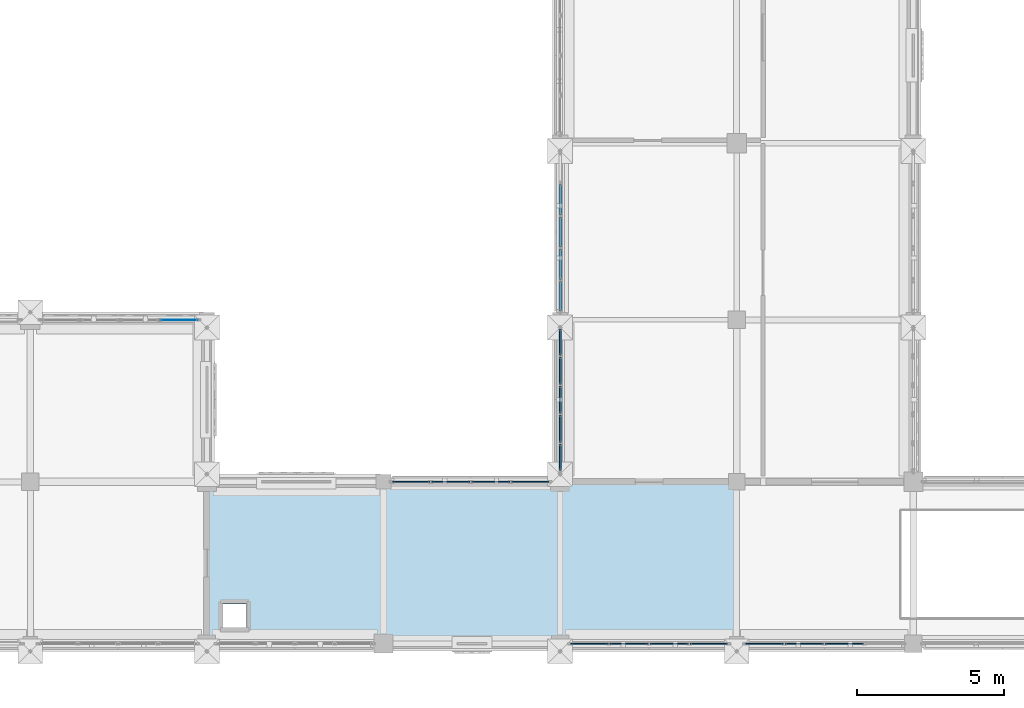
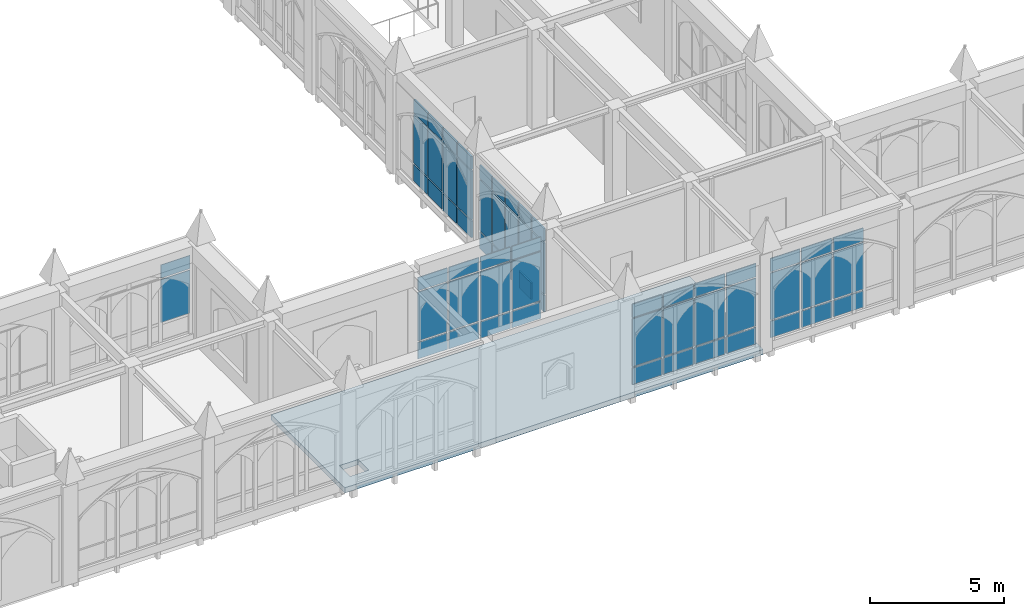
# One storey, part 86 of 143: 62 plates, 1 slab, 6 elements without a shape of their own.
"""IFC4 building model written with IfcOpenShell, lengths in metres."""

import ifcopenshell
import ifcopenshell.guid

model = None  # the IFC model being written
_history = None  # IfcOwnerHistory: only IFC2X3 demands one
_inside = {}  # id of a spatial element -> (the spatial element, [elements in it])
_under = {}  # id of a project, library or spatial element -> (it, [spatial elements below it])
_declared = {}  # id of a project -> (the project, [libraries it declares])
_typed = {}  # id of a type object -> (the type object, [elements of that type])
_made_of = {}  # id of a material, layer set ... -> (it, [elements and type objects made of it])


def new_model(schema):
    """Start an empty IFC model of exactly this schema.

    Asked for "IFC4X3", IfcOpenShell would pick the latest addendum, in which some entities
    have other attributes; the version numbers below select the first issue.
    IFC2X3 requires an IfcOwnerHistory on every rooted entity: one is made here for all.
    """
    global model, _history
    if schema == "IFC4X3":
        model = ifcopenshell.file(schema_version=(4, 3, 0, 0))
    else:
        model = ifcopenshell.file(schema=schema)
    _inside.clear()
    _under.clear()
    _declared.clear()
    _typed.clear()
    _made_of.clear()
    _history = None
    if model.schema == "IFC2X3":
        org = make("IfcOrganization", Name="unknown")
        user = make(
            "IfcPersonAndOrganization",
            ThePerson=make("IfcPerson", FamilyName="unknown"),
            TheOrganization=org,
        )
        app = make(
            "IfcApplication",
            ApplicationDeveloper=org,
            Version="unknown",
            ApplicationFullName="unknown",
            ApplicationIdentifier="unknown",
        )
        _history = make(
            "IfcOwnerHistory",
            OwningUser=user,
            OwningApplication=app,
            ChangeAction="ADDED",
            CreationDate=0,
        )
    return model


def make(cls, **values):
    """One entity of the class cls with the attributes given. An attribute that is None is left unset."""
    return model.create_entity(
        cls, **{name: value for name, value in values.items() if value is not None}
    )


def rooted(cls, **values):
    """An entity with a GlobalId (a new one), such as an element, a storey or a relation."""
    return make(cls, GlobalId=ifcopenshell.guid.new(), OwnerHistory=_history, **values)


def si_unit(unit_type, name, prefix=None):
    """IfcSIUnit, for example si_unit("LENGTHUNIT", "METRE", prefix="MILLI")."""
    return make("IfcSIUnit", UnitType=unit_type, Prefix=prefix, Name=name)


def assignment(units):
    """IfcUnitAssignment: the units of a project."""
    return None if units is None else make("IfcUnitAssignment", Units=units)


def point(xyz):
    """IfcCartesianPoint."""
    return None if xyz is None else make("IfcCartesianPoint", Coordinates=xyz)


def direction(xyz):
    """IfcDirection."""
    return None if xyz is None else make("IfcDirection", DirectionRatios=xyz)


def frame(location, z_axis=None, x_axis=None):
    """IfcAxis2Placement3D, a coordinate frame: its origin and axes. An axis left out is left unset."""
    return make(
        "IfcAxis2Placement3D",
        Location=point(location),
        Axis=direction(z_axis),
        RefDirection=direction(x_axis),
    )


def frame_2d(location, x_axis=None):
    """IfcAxis2Placement2D, a coordinate frame in the plane: its origin and x axis."""
    return make(
        "IfcAxis2Placement2D", Location=point(location), RefDirection=direction(x_axis)
    )


def origin():
    """The frame at (0, 0, 0) with its axes left unset."""
    return frame((0.0, 0.0, 0.0))


def origin_2d():
    """The frame at (0, 0) in the plane with its x axis left unset."""
    return frame_2d((0.0, 0.0))


def place(relative_to, where):
    """IfcLocalPlacement: puts the frame where relative to a parent placement (None: the world)."""
    return make(
        "IfcLocalPlacement", PlacementRelTo=relative_to, RelativePlacement=where
    )


def context(
    kind, dimensions, precision=None, world=None, true_north=None, identifier=None
):
    """IfcGeometricRepresentationContext, for example the 3D "Model" context."""
    return make(
        "IfcGeometricRepresentationContext",
        ContextIdentifier=identifier,
        ContextType=kind,
        CoordinateSpaceDimension=dimensions,
        Precision=precision,
        WorldCoordinateSystem=world,
        TrueNorth=true_north,
    )


def subcontext(parent, identifier, kind, view, scale=None):
    """IfcGeometricRepresentationSubContext, for example "Body" below "Model"."""
    return make(
        "IfcGeometricRepresentationSubContext",
        ContextIdentifier=identifier,
        ContextType=kind,
        ParentContext=parent,
        TargetScale=scale,
        TargetView=view,
    )


def project(units=None, contexts=None):
    """IfcProject with its units and contexts."""
    return rooted(
        "IfcProject",
        Name="project",
        RepresentationContexts=contexts,
        UnitsInContext=assignment(units),
    )


def spatial(cls, under=None, at=None, **own):
    """A site, building, storey or space (cls), placed at a placement, below another one or the project."""
    s = rooted(cls, ObjectPlacement=at, **own)
    if under is not None:
        _under.setdefault(under.id(), (under, []))[1].append(s)
    return s


def polyline(points):
    """IfcPolyline through the points."""
    return make("IfcPolyline", Points=[point(p) for p in points])


def profile(cls, at=None, kind="AREA", **sizes):
    """A parametric profile (cls). Its sizes go by their IFC names, for example OverallWidth=200.0."""
    return make(cls, ProfileType=kind, Position=at, **sizes)


def rectangle(**sizes):
    """IfcRectangleProfileDef."""
    return profile("IfcRectangleProfileDef", **sizes)


def outline(outer, holes=None, kind="AREA"):
    """IfcArbitraryClosedProfileDef: a profile drawn as a closed curve; with holes, ...WithVoids."""
    if holes is None:
        return make("IfcArbitraryClosedProfileDef", ProfileType=kind, OuterCurve=outer)
    return make(
        "IfcArbitraryProfileDefWithVoids",
        ProfileType=kind,
        OuterCurve=outer,
        InnerCurves=holes,
    )


def extrude(swept, where, along, depth):
    """IfcExtrudedAreaSolid: the profile swept, set in the frame where, extruded along a direction by depth."""
    return make(
        "IfcExtrudedAreaSolid",
        SweptArea=swept,
        Position=where,
        ExtrudedDirection=direction(along),
        Depth=depth,
    )


def shape(context_of_items, identifier, shape_type, items):
    """IfcShapeRepresentation: the items that make up one representation, for example the "Body"."""
    return make(
        "IfcShapeRepresentation",
        ContextOfItems=context_of_items,
        RepresentationIdentifier=identifier,
        RepresentationType=shape_type,
        Items=items,
    )


def material(Name=None, Category=None):
    """IfcMaterial."""
    return make("IfcMaterial", Name=Name, Category=Category)


def layer(
    of_material, thickness, ventilated=None, Name=None, Category=None, Priority=None
):
    """IfcMaterialLayer: one layer of a wall or slab, of a material (None: an air gap)."""
    return make(
        "IfcMaterialLayer",
        Material=of_material,
        LayerThickness=thickness,
        IsVentilated=ventilated,
        Name=Name,
        Category=Category,
        Priority=Priority,
    )


def layer_set(layers, Name=None):
    """IfcMaterialLayerSet."""
    return make("IfcMaterialLayerSet", MaterialLayers=layers, LayerSetName=Name)


def made_of(thing, what):
    """Note that an element or type object is made of a material, layer set ...; save() writes the relation."""
    if what is not None:
        _made_of.setdefault(what.id(), (what, []))[1].append(thing)
    return thing


def type_object(cls, material=None, **own):
    """A type object (cls), such as IfcWallType, which elements share."""
    return made_of(rooted(cls, **own), material)


def element(
    cls,
    number,
    at=None,
    inside=None,
    cuts=None,
    type_object=None,
    material=None,
    context=None,
    identifier="Body",
    shape_type=None,
    held_by="IfcProductDefinitionShape",
    body=None,
    shapes=None,
    **own,
):
    """One element of the class cls, such as IfcWall. Its Tag is "e" and its number.

    at: its placement. inside: the storey or other place that contains it. cuts: it is an
    opening in that element (IfcRelVoidsElement). A single representation is given by context,
    identifier, shape_type and body (its items); several are given by shapes. held_by: the class
    of the entity that holds the representations. save() writes the other relations.
    """
    e = rooted(cls, Tag="e%d" % number, ObjectPlacement=at, **own)
    if body is not None:
        shapes = [shape(context, identifier, shape_type, body)]
    if shapes is not None:
        e.Representation = make(held_by, Representations=shapes)
    if inside is not None:
        _inside.setdefault(inside.id(), (inside, []))[1].append(e)
    if cuts is not None:
        rooted(
            "IfcRelVoidsElement", RelatingBuildingElement=cuts, RelatedOpeningElement=e
        )
    if type_object is not None:
        _typed.setdefault(type_object.id(), (type_object, []))[1].append(e)
    return made_of(e, material)


def aggregate(whole, parts):
    """IfcRelAggregates: a whole, such as a stair, and the parts it consists of."""
    return rooted("IfcRelAggregates", RelatingObject=whole, RelatedObjects=parts)


def save(model, path):
    """Write the relations noted so far, then the file.

    IfcRelAggregates (storeys below a building ...), IfcRelContainedInSpatialStructure (elements
    in a storey), IfcRelDefinesByType, IfcRelAssociatesMaterial and IfcRelDeclares: one each for
    every whole, place, type object, material and project.
    """
    for whole, parts in _under.values():
        aggregate(whole, parts)
    for where, things in _inside.values():
        rooted(
            "IfcRelContainedInSpatialStructure",
            RelatedElements=things,
            RelatingStructure=where,
        )
    for kind, things in _typed.values():
        rooted("IfcRelDefinesByType", RelatedObjects=things, RelatingType=kind)
    for what, things in _made_of.values():
        rooted("IfcRelAssociatesMaterial", RelatedObjects=things, RelatingMaterial=what)
    for by, libraries in _declared.values():
        rooted("IfcRelDeclares", RelatingContext=by, RelatedDefinitions=libraries)
    model.write(path)


model = new_model("IFC4")

# Units and contexts
model_context = context("Model", 3, precision=1e-05, world=origin(), true_north=direction((0.0, 1.0)))
body_context = subcontext(model_context, "Body", "Model", "MODEL_VIEW")
ifc_project = project(units=[si_unit("LENGTHUNIT", "METRE"), si_unit("AREAUNIT", "SQUARE_METRE"), si_unit("VOLUMEUNIT", "CUBIC_METRE"), si_unit("PLANEANGLEUNIT", "RADIAN"), si_unit("MASSUNIT", "GRAM", prefix="KILO")], contexts=[model_context])

# Site, building, storey
site_placement = place(None, origin())
site = spatial("IfcSite", under=ifc_project, at=site_placement, CompositionType="ELEMENT")
building_placement = place(site_placement, origin())
building = spatial("IfcBuilding", under=site, at=building_placement, Name="Cumevento Cable Car Station", CompositionType="ELEMENT")
storey_placement = place(building_placement, frame((0.0, 0.0, 9.0)))
storey = spatial("IfcBuildingStorey", under=building, at=storey_placement, Name="L03", CompositionType="ELEMENT", Elevation=9.0)

# Slab
ifc_material_1 = material(Name="Concrete C40/50", Category="concrete")
ifc_layer_1 = layer(ifc_material_1, 0.236083984375)
ifc_layer_set_1 = layer_set([ifc_layer_1], Name="Concrete C40/50")
slab_type = type_object("IfcSlabType", Name="Concrete Deck FS-236 236", PredefinedType="FLOOR", material=ifc_layer_set_1)
slab_placement = place(storey_placement, frame((0.0, 0.0, -0.236083984375)))
element("IfcSlab", 1, at=slab_placement, inside=storey, type_object=slab_type, Name="Floor Slab FS-236 L03 B_V1b.1", PredefinedType="FLOOR", context=body_context, shape_type="SweptSolid", body=[
    extrude(outline(polyline([(46.0, 4.0), (64.0, 4.0), (64.0, 9.5), (46.0, 9.5), (46.0, 4.0)]), holes=[polyline([(46.550048828125, 4.550048828125), (47.35009765625, 4.550048828125), (47.35009765625, 5.35009765625), (46.550048828125, 5.35009765625), (46.550048828125, 4.550048828125)])]), origin(), (0.0, 0.0, 1.0), 0.236083984375),
])

# Curtain wall, plates
ifc_material_2 = material(Name="Anodised Bronze Aluminium AW-6063-T6", Category="aluminium")
ifc_layer_2 = layer(ifc_material_2, 0.201904296875)
ifc_layer_set_2 = layer_set([ifc_layer_2], Name="Anodised Bronze Aluminium AW-6063-T6")
curtain_wall_type_1 = type_object("IfcCurtainWallType", Name="Lancet Curtain Wall CW-08 1330", PredefinedType="NOTDEFINED", material=ifc_layer_set_2)
curtain_wall_1_placement = place(storey_placement, origin())
curtain_wall_1 = element("IfcCurtainWall", 2, at=curtain_wall_1_placement, inside=storey, type_object=curtain_wall_type_1, Name="Lancet Curtain Wall CW-08 L03 #71", PredefinedType="NOTDEFINED")
ifc_material_3 = material(Name="Solar Control Laminated Double Glazing", Category="glass")
ifc_layer_3 = layer(ifc_material_3, 0.02587890625)
ifc_layer_set_3 = layer_set([ifc_layer_3], Name="Solar Control Laminated Double Glazing")
plate_type_1 = type_object("IfcPlateType", Name="Glazed Panel CWP-02 26", PredefinedType="CURTAIN_PANEL", material=ifc_layer_set_3)
plate_1_placement = place(storey_placement, frame((45.0556640625, 15.0, 1.402587890625), z_axis=(0.0, 0.0, 1.0), x_axis=(1.0, 0.0, 0.0)))
plate_1 = element("IfcPlate", 3, at=plate_1_placement, type_object=plate_type_1, Name="CW-08 panel 4.2", PredefinedType="CURTAIN_PANEL", context=body_context, shape_type="SweptSolid", body=[
    extrude(rectangle(XDim=1.2587890625, YDim=0.02587890625, at=origin_2d()), origin(), (0.0, 0.0, 1.0), 1.9580078125),
])
plate_2_placement = place(storey_placement, frame((45.0556640625, 15.0, 3.425537109375), z_axis=(0.0, 0.0, 1.0), x_axis=(1.0, 0.0, 0.0)))
plate_2 = element("IfcPlate", 4, at=plate_2_placement, type_object=plate_type_1, Name="CW-08 panel 4.3", PredefinedType="CURTAIN_PANEL", context=body_context, shape_type="SweptSolid", body=[
    extrude(rectangle(XDim=1.2587890625, YDim=0.02587890625, at=origin_2d()), origin(), (0.0, 0.0, 1.0), 0.6025390625),
])
aggregate(curtain_wall_1, [plate_1, plate_2])

ifc_material_4 = material(Name="Anodised Bronze Aluminium AW-6063-T6", Category="aluminium")
ifc_layer_4 = layer(ifc_material_4, 0.219970703125)
ifc_layer_set_4 = layer_set([ifc_layer_4], Name="Anodised Bronze Aluminium AW-6063-T6")
curtain_wall_type_2 = type_object("IfcCurtainWallType", Name="Lancet Curtain Wall CW-11 1450", PredefinedType="NOTDEFINED", material=ifc_layer_set_4)
curtain_wall_2_placement = place(storey_placement, origin())
curtain_wall_2 = element("IfcCurtainWall", 5, at=curtain_wall_2_placement, inside=storey, type_object=curtain_wall_type_2, Name="Lancet Curtain Wall CW-11 L03 #74", PredefinedType="NOTDEFINED")
ifc_material_5 = material(Name="Solar Control Laminated Double Glazing", Category="glass")
ifc_layer_5 = layer(ifc_material_5, 0.0380859375)
ifc_layer_set_5 = layer_set([ifc_layer_5], Name="Solar Control Laminated Double Glazing")
plate_type_2 = type_object("IfcPlateType", Name="Glazed Panel CWP-05 38", PredefinedType="CURTAIN_PANEL", material=ifc_layer_set_5)
plate_3_placement = place(storey_placement, frame((52.9443359375, 9.5, 0.324951171875), z_axis=(0.0, 0.0, 1.0), x_axis=(1.0, 0.0, 0.0)))
plate_3 = element("IfcPlate", 6, at=plate_3_placement, type_object=plate_type_2, Name="CW-11 panel 1.1", PredefinedType="CURTAIN_PANEL", context=body_context, shape_type="SweptSolid", body=[
    extrude(rectangle(XDim=1.2587890625, YDim=0.0380859375, at=origin_2d()), origin(), (0.0, 0.0, 1.0), 0.75244140625),
])
plate_4_placement = place(storey_placement, frame((52.9443359375, 9.5, 1.142578125), z_axis=(0.0, 0.0, 1.0), x_axis=(1.0, 0.0, 0.0)))
plate_4 = element("IfcPlate", 7, at=plate_4_placement, type_object=plate_type_2, Name="CW-11 panel 1.2", PredefinedType="CURTAIN_PANEL", context=body_context, shape_type="SweptSolid", body=[
    extrude(rectangle(XDim=1.2587890625, YDim=0.0380859375, at=origin_2d()), origin(), (0.0, 0.0, 1.0), 2.218017578125),
])
plate_5_placement = place(storey_placement, frame((52.9443359375, 9.5, 3.425537109375), z_axis=(0.0, 0.0, 1.0), x_axis=(1.0, 0.0, 0.0)))
plate_5 = element("IfcPlate", 8, at=plate_5_placement, type_object=plate_type_2, Name="CW-11 panel 1.3", PredefinedType="CURTAIN_PANEL", context=body_context, shape_type="SweptSolid", body=[
    extrude(rectangle(XDim=1.2587890625, YDim=0.0380859375, at=origin_2d()), origin(), (0.0, 0.0, 1.0), 0.6025390625),
])
plate_6_placement = place(storey_placement, frame((54.284423828125, 9.5, 0.324951171875), z_axis=(0.0, 0.0, 1.0), x_axis=(1.0, 0.0, 0.0)))
plate_6 = element("IfcPlate", 9, at=plate_6_placement, type_object=plate_type_2, Name="CW-11 panel 2.1", PredefinedType="CURTAIN_PANEL", context=body_context, shape_type="SweptSolid", body=[
    extrude(rectangle(XDim=1.291259765625, YDim=0.0380859375, at=origin_2d()), origin(), (0.0, 0.0, 1.0), 0.75244140625),
])
plate_7_placement = place(storey_placement, frame((54.284423828125, 9.5, 1.142578125), z_axis=(0.0, 0.0, 1.0), x_axis=(1.0, 0.0, 0.0)))
plate_7 = element("IfcPlate", 10, at=plate_7_placement, type_object=plate_type_2, Name="CW-11 panel 2.2", PredefinedType="CURTAIN_PANEL", context=body_context, shape_type="SweptSolid", body=[
    extrude(rectangle(XDim=1.291259765625, YDim=0.0380859375, at=origin_2d()), origin(), (0.0, 0.0, 1.0), 2.218017578125),
])
plate_8_placement = place(storey_placement, frame((54.284423828125, 9.5, 3.425537109375), z_axis=(0.0, 0.0, 1.0), x_axis=(1.0, 0.0, 0.0)))
plate_8 = element("IfcPlate", 11, at=plate_8_placement, type_object=plate_type_2, Name="CW-11 panel 2.3", PredefinedType="CURTAIN_PANEL", context=body_context, shape_type="SweptSolid", body=[
    extrude(rectangle(XDim=1.291259765625, YDim=0.0380859375, at=origin_2d()), origin(), (0.0, 0.0, 1.0), 0.6025390625),
])
plate_9_placement = place(storey_placement, frame((55.640625, 9.5, 0.324951171875), z_axis=(0.0, 0.0, 1.0), x_axis=(1.0, 0.0, 0.0)))
plate_9 = element("IfcPlate", 12, at=plate_9_placement, type_object=plate_type_2, Name="CW-11 panel 3.1", PredefinedType="CURTAIN_PANEL", context=body_context, shape_type="SweptSolid", body=[
    extrude(rectangle(XDim=1.291259765625, YDim=0.0380859375, at=origin_2d()), origin(), (0.0, 0.0, 1.0), 0.75244140625),
])
plate_10_placement = place(storey_placement, frame((55.640625, 9.5, 1.142578125), z_axis=(0.0, 0.0, 1.0), x_axis=(1.0, 0.0, 0.0)))
plate_10 = element("IfcPlate", 13, at=plate_10_placement, type_object=plate_type_2, Name="CW-11 panel 3.2", PredefinedType="CURTAIN_PANEL", context=body_context, shape_type="SweptSolid", body=[
    extrude(rectangle(XDim=1.291259765625, YDim=0.0380859375, at=origin_2d()), origin(), (0.0, 0.0, 1.0), 2.218017578125),
])
plate_11_placement = place(storey_placement, frame((55.640625, 9.5, 3.425537109375), z_axis=(0.0, 0.0, 1.0), x_axis=(1.0, 0.0, 0.0)))
plate_11 = element("IfcPlate", 14, at=plate_11_placement, type_object=plate_type_2, Name="CW-11 panel 3.3", PredefinedType="CURTAIN_PANEL", context=body_context, shape_type="SweptSolid", body=[
    extrude(rectangle(XDim=1.291259765625, YDim=0.0380859375, at=origin_2d()), origin(), (0.0, 0.0, 1.0), 0.6025390625),
])
plate_12_placement = place(storey_placement, frame((56.980712890625, 9.5, 0.324951171875), z_axis=(0.0, 0.0, 1.0), x_axis=(1.0, 0.0, 0.0)))
plate_12 = element("IfcPlate", 15, at=plate_12_placement, type_object=plate_type_2, Name="CW-11 panel 4.1", PredefinedType="CURTAIN_PANEL", context=body_context, shape_type="SweptSolid", body=[
    extrude(rectangle(XDim=1.2587890625, YDim=0.0380859375, at=origin_2d()), origin(), (0.0, 0.0, 1.0), 0.75244140625),
])
plate_13_placement = place(storey_placement, frame((56.980712890625, 9.5, 1.142578125), z_axis=(0.0, 0.0, 1.0), x_axis=(1.0, 0.0, 0.0)))
plate_13 = element("IfcPlate", 16, at=plate_13_placement, type_object=plate_type_2, Name="CW-11 panel 4.2", PredefinedType="CURTAIN_PANEL", context=body_context, shape_type="SweptSolid", body=[
    extrude(rectangle(XDim=1.2587890625, YDim=0.0380859375, at=origin_2d()), origin(), (0.0, 0.0, 1.0), 2.218017578125),
])
plate_14_placement = place(storey_placement, frame((56.980712890625, 9.5, 3.425537109375), z_axis=(0.0, 0.0, 1.0), x_axis=(1.0, 0.0, 0.0)))
plate_14 = element("IfcPlate", 17, at=plate_14_placement, type_object=plate_type_2, Name="CW-11 panel 4.3", PredefinedType="CURTAIN_PANEL", context=body_context, shape_type="SweptSolid", body=[
    extrude(rectangle(XDim=1.2587890625, YDim=0.0380859375, at=origin_2d()), origin(), (0.0, 0.0, 1.0), 0.6025390625),
])
aggregate(curtain_wall_2, [plate_3, plate_4, plate_5, plate_6, plate_7, plate_8, plate_9, plate_10, plate_11, plate_12, plate_13, plate_14])

ifc_material_6 = material(Name="Anodised Bronze Aluminium AW-6063-T6", Category="aluminium")
ifc_layer_6 = layer(ifc_material_6, 0.22607421875)
ifc_layer_set_6 = layer_set([ifc_layer_6], Name="Anodised Bronze Aluminium AW-6063-T6")
curtain_wall_type_3 = type_object("IfcCurtainWallType", Name="Lancet Curtain Wall CW-12 1490", PredefinedType="NOTDEFINED", material=ifc_layer_set_6)
curtain_wall_3_placement = place(storey_placement, origin())
curtain_wall_3 = element("IfcCurtainWall", 18, at=curtain_wall_3_placement, inside=storey, type_object=curtain_wall_type_3, Name="Lancet Curtain Wall CW-12 L03 #75", PredefinedType="NOTDEFINED")
ifc_material_7 = material(Name="Solar Control Laminated Double Glazing", Category="glass")
ifc_layer_7 = layer(ifc_material_7, 0.0419921875)
ifc_layer_set_7 = layer_set([ifc_layer_7], Name="Solar Control Laminated Double Glazing")
plate_type_3 = type_object("IfcPlateType", Name="Glazed Panel CWP-06 42", PredefinedType="CURTAIN_PANEL", material=ifc_layer_set_7)
plate_15_placement = place(storey_placement, frame((63.052490234375, 4.0, 0.375), z_axis=(0.0, 0.0, 1.0), x_axis=(-1.0, 0.0, 0.0)))
plate_15 = element("IfcPlate", 19, at=plate_15_placement, type_object=plate_type_3, Name="CW-12 panel 1.1", PredefinedType="CURTAIN_PANEL", context=body_context, shape_type="SweptSolid", body=[
    extrude(rectangle(XDim=1.264892578125, YDim=0.0419921875, at=origin_2d()), origin(), (0.0, 0.0, 1.0), 0.75244140625),
])
plate_16_placement = place(storey_placement, frame((63.052490234375, 4.0, 1.192626953125), z_axis=(0.0, 0.0, 1.0), x_axis=(-1.0, 0.0, 0.0)))
plate_16 = element("IfcPlate", 20, at=plate_16_placement, type_object=plate_type_3, Name="CW-12 panel 1.2", PredefinedType="CURTAIN_PANEL", context=body_context, shape_type="SweptSolid", body=[
    extrude(rectangle(XDim=1.264892578125, YDim=0.0419921875, at=origin_2d()), origin(), (0.0, 0.0, 1.0), 2.16796875),
])
plate_17_placement = place(storey_placement, frame((63.052490234375, 4.0, 3.425537109375), z_axis=(0.0, 0.0, 1.0), x_axis=(-1.0, 0.0, 0.0)))
plate_17 = element("IfcPlate", 21, at=plate_17_placement, type_object=plate_type_3, Name="CW-12 panel 1.3", PredefinedType="CURTAIN_PANEL", context=body_context, shape_type="SweptSolid", body=[
    extrude(rectangle(XDim=1.264892578125, YDim=0.0419921875, at=origin_2d()), origin(), (0.0, 0.0, 1.0), 0.6025390625),
])
plate_18_placement = place(storey_placement, frame((61.706298828125, 4.0, 0.375), z_axis=(0.0, 0.0, 1.0), x_axis=(-1.0, 0.0, 0.0)))
plate_18 = element("IfcPlate", 22, at=plate_18_placement, type_object=plate_type_3, Name="CW-12 panel 2.1", PredefinedType="CURTAIN_PANEL", context=body_context, shape_type="SweptSolid", body=[
    extrude(rectangle(XDim=1.297607421875, YDim=0.0419921875, at=origin_2d()), origin(), (0.0, 0.0, 1.0), 0.75244140625),
])
plate_19_placement = place(storey_placement, frame((61.706298828125, 4.0, 1.192626953125), z_axis=(0.0, 0.0, 1.0), x_axis=(-1.0, 0.0, 0.0)))
plate_19 = element("IfcPlate", 23, at=plate_19_placement, type_object=plate_type_3, Name="CW-12 panel 2.2", PredefinedType="CURTAIN_PANEL", context=body_context, shape_type="SweptSolid", body=[
    extrude(rectangle(XDim=1.297607421875, YDim=0.0419921875, at=origin_2d()), origin(), (0.0, 0.0, 1.0), 2.16796875),
])
plate_20_placement = place(storey_placement, frame((61.706298828125, 4.0, 3.425537109375), z_axis=(0.0, 0.0, 1.0), x_axis=(-1.0, 0.0, 0.0)))
plate_20 = element("IfcPlate", 24, at=plate_20_placement, type_object=plate_type_3, Name="CW-12 panel 2.3", PredefinedType="CURTAIN_PANEL", context=body_context, shape_type="SweptSolid", body=[
    extrude(rectangle(XDim=1.297607421875, YDim=0.0419921875, at=origin_2d()), origin(), (0.0, 0.0, 1.0), 0.6025390625),
])
plate_21_placement = place(storey_placement, frame((60.34375, 4.0, 0.375), z_axis=(0.0, 0.0, 1.0), x_axis=(-1.0, 0.0, 0.0)))
plate_21 = element("IfcPlate", 25, at=plate_21_placement, type_object=plate_type_3, Name="CW-12 panel 3.1", PredefinedType="CURTAIN_PANEL", context=body_context, shape_type="SweptSolid", body=[
    extrude(rectangle(XDim=1.297607421875, YDim=0.0419921875, at=origin_2d()), origin(), (0.0, 0.0, 1.0), 0.75244140625),
])
plate_22_placement = place(storey_placement, frame((60.34375, 4.0, 1.192626953125), z_axis=(0.0, 0.0, 1.0), x_axis=(-1.0, 0.0, 0.0)))
plate_22 = element("IfcPlate", 26, at=plate_22_placement, type_object=plate_type_3, Name="CW-12 panel 3.2", PredefinedType="CURTAIN_PANEL", context=body_context, shape_type="SweptSolid", body=[
    extrude(rectangle(XDim=1.297607421875, YDim=0.0419921875, at=origin_2d()), origin(), (0.0, 0.0, 1.0), 2.16796875),
])
plate_23_placement = place(storey_placement, frame((60.34375, 4.0, 3.425537109375), z_axis=(0.0, 0.0, 1.0), x_axis=(-1.0, 0.0, 0.0)))
plate_23 = element("IfcPlate", 27, at=plate_23_placement, type_object=plate_type_3, Name="CW-12 panel 3.3", PredefinedType="CURTAIN_PANEL", context=body_context, shape_type="SweptSolid", body=[
    extrude(rectangle(XDim=1.297607421875, YDim=0.0419921875, at=origin_2d()), origin(), (0.0, 0.0, 1.0), 0.6025390625),
])
plate_24_placement = place(storey_placement, frame((58.99755859375, 4.0, 0.375), z_axis=(0.0, 0.0, 1.0), x_axis=(-1.0, 0.0, 0.0)))
plate_24 = element("IfcPlate", 28, at=plate_24_placement, type_object=plate_type_3, Name="CW-12 panel 4.1", PredefinedType="CURTAIN_PANEL", context=body_context, shape_type="SweptSolid", body=[
    extrude(rectangle(XDim=1.264892578125, YDim=0.0419921875, at=origin_2d()), origin(), (0.0, 0.0, 1.0), 0.75244140625),
])
plate_25_placement = place(storey_placement, frame((58.99755859375, 4.0, 1.192626953125), z_axis=(0.0, 0.0, 1.0), x_axis=(-1.0, 0.0, 0.0)))
plate_25 = element("IfcPlate", 29, at=plate_25_placement, type_object=plate_type_3, Name="CW-12 panel 4.2", PredefinedType="CURTAIN_PANEL", context=body_context, shape_type="SweptSolid", body=[
    extrude(rectangle(XDim=1.264892578125, YDim=0.0419921875, at=origin_2d()), origin(), (0.0, 0.0, 1.0), 2.16796875),
])
plate_26_placement = place(storey_placement, frame((58.99755859375, 4.0, 3.425537109375), z_axis=(0.0, 0.0, 1.0), x_axis=(-1.0, 0.0, 0.0)))
plate_26 = element("IfcPlate", 30, at=plate_26_placement, type_object=plate_type_3, Name="CW-12 panel 4.3", PredefinedType="CURTAIN_PANEL", context=body_context, shape_type="SweptSolid", body=[
    extrude(rectangle(XDim=1.264892578125, YDim=0.0419921875, at=origin_2d()), origin(), (0.0, 0.0, 1.0), 0.6025390625),
])
aggregate(curtain_wall_3, [plate_15, plate_16, plate_17, plate_18, plate_19, plate_20, plate_21, plate_22, plate_23, plate_24, plate_25, plate_26])

ifc_material_8 = material(Name="Anodised Bronze Aluminium AW-6063-T6", Category="aluminium")
ifc_layer_8 = layer(ifc_material_8, 0.23193359375)
ifc_layer_set_8 = layer_set([ifc_layer_8], Name="Anodised Bronze Aluminium AW-6063-T6")
curtain_wall_type_4 = type_object("IfcCurtainWallType", Name="Lancet Curtain Wall CW-13 1530", PredefinedType="NOTDEFINED", material=ifc_layer_set_8)
curtain_wall_4_placement = place(storey_placement, origin())
curtain_wall_4 = element("IfcCurtainWall", 31, at=curtain_wall_4_placement, inside=storey, type_object=curtain_wall_type_4, Name="Lancet Curtain Wall CW-13 L03 #76", PredefinedType="NOTDEFINED")
ifc_material_9 = material(Name="Solar Control Laminated Double Glazing", Category="glass")
ifc_layer_9 = layer(ifc_material_9, 0.0458984375)
ifc_layer_set_9 = layer_set([ifc_layer_9], Name="Solar Control Laminated Double Glazing")
plate_type_4 = type_object("IfcPlateType", Name="Glazed Panel CWP-07 46", PredefinedType="CURTAIN_PANEL", material=ifc_layer_set_9)
plate_27_placement = place(storey_placement, frame((67.65625, 4.0, 0.425048828125), z_axis=(0.0, 0.0, 1.0), x_axis=(-1.0, 0.0, 0.0)))
plate_27 = element("IfcPlate", 32, at=plate_27_placement, type_object=plate_type_4, Name="CW-13 panel 2.1", PredefinedType="CURTAIN_PANEL", context=body_context, shape_type="SweptSolid", body=[
    extrude(rectangle(XDim=1.297607421875, YDim=0.0458984375, at=origin_2d()), origin(), (0.0, 0.0, 1.0), 0.75244140625),
])
plate_28_placement = place(storey_placement, frame((67.65625, 4.0, 1.24267578125), z_axis=(0.0, 0.0, 1.0), x_axis=(-1.0, 0.0, 0.0)))
plate_28 = element("IfcPlate", 33, at=plate_28_placement, type_object=plate_type_4, Name="CW-13 panel 2.2", PredefinedType="CURTAIN_PANEL", context=body_context, shape_type="SweptSolid", body=[
    extrude(rectangle(XDim=1.297607421875, YDim=0.0458984375, at=origin_2d()), origin(), (0.0, 0.0, 1.0), 2.117919921875),
])
plate_29_placement = place(storey_placement, frame((67.65625, 4.0, 3.425537109375), z_axis=(0.0, 0.0, 1.0), x_axis=(-1.0, 0.0, 0.0)))
plate_29 = element("IfcPlate", 34, at=plate_29_placement, type_object=plate_type_4, Name="CW-13 panel 2.3", PredefinedType="CURTAIN_PANEL", context=body_context, shape_type="SweptSolid", body=[
    extrude(rectangle(XDim=1.297607421875, YDim=0.0458984375, at=origin_2d()), origin(), (0.0, 0.0, 1.0), 0.6025390625),
])
plate_30_placement = place(storey_placement, frame((66.293701171875, 4.0, 0.425048828125), z_axis=(0.0, 0.0, 1.0), x_axis=(-1.0, 0.0, 0.0)))
plate_30 = element("IfcPlate", 35, at=plate_30_placement, type_object=plate_type_4, Name="CW-13 panel 3.1", PredefinedType="CURTAIN_PANEL", context=body_context, shape_type="SweptSolid", body=[
    extrude(rectangle(XDim=1.297607421875, YDim=0.0458984375, at=origin_2d()), origin(), (0.0, 0.0, 1.0), 0.75244140625),
])
plate_31_placement = place(storey_placement, frame((66.293701171875, 4.0, 1.24267578125), z_axis=(0.0, 0.0, 1.0), x_axis=(-1.0, 0.0, 0.0)))
plate_31 = element("IfcPlate", 36, at=plate_31_placement, type_object=plate_type_4, Name="CW-13 panel 3.2", PredefinedType="CURTAIN_PANEL", context=body_context, shape_type="SweptSolid", body=[
    extrude(rectangle(XDim=1.297607421875, YDim=0.0458984375, at=origin_2d()), origin(), (0.0, 0.0, 1.0), 2.117919921875),
])
plate_32_placement = place(storey_placement, frame((66.293701171875, 4.0, 3.425537109375), z_axis=(0.0, 0.0, 1.0), x_axis=(-1.0, 0.0, 0.0)))
plate_32 = element("IfcPlate", 37, at=plate_32_placement, type_object=plate_type_4, Name="CW-13 panel 3.3", PredefinedType="CURTAIN_PANEL", context=body_context, shape_type="SweptSolid", body=[
    extrude(rectangle(XDim=1.297607421875, YDim=0.0458984375, at=origin_2d()), origin(), (0.0, 0.0, 1.0), 0.6025390625),
])
plate_33_placement = place(storey_placement, frame((64.947509765625, 4.0, 0.425048828125), z_axis=(0.0, 0.0, 1.0), x_axis=(-1.0, 0.0, 0.0)))
plate_33 = element("IfcPlate", 38, at=plate_33_placement, type_object=plate_type_4, Name="CW-13 panel 4.1", PredefinedType="CURTAIN_PANEL", context=body_context, shape_type="SweptSolid", body=[
    extrude(rectangle(XDim=1.264892578125, YDim=0.0458984375, at=origin_2d()), origin(), (0.0, 0.0, 1.0), 0.75244140625),
])
plate_34_placement = place(storey_placement, frame((64.947509765625, 4.0, 1.24267578125), z_axis=(0.0, 0.0, 1.0), x_axis=(-1.0, 0.0, 0.0)))
plate_34 = element("IfcPlate", 39, at=plate_34_placement, type_object=plate_type_4, Name="CW-13 panel 4.2", PredefinedType="CURTAIN_PANEL", context=body_context, shape_type="SweptSolid", body=[
    extrude(rectangle(XDim=1.264892578125, YDim=0.0458984375, at=origin_2d()), origin(), (0.0, 0.0, 1.0), 2.117919921875),
])
plate_35_placement = place(storey_placement, frame((64.947509765625, 4.0, 3.425537109375), z_axis=(0.0, 0.0, 1.0), x_axis=(-1.0, 0.0, 0.0)))
plate_35 = element("IfcPlate", 40, at=plate_35_placement, type_object=plate_type_4, Name="CW-13 panel 4.3", PredefinedType="CURTAIN_PANEL", context=body_context, shape_type="SweptSolid", body=[
    extrude(rectangle(XDim=1.264892578125, YDim=0.0458984375, at=origin_2d()), origin(), (0.0, 0.0, 1.0), 0.6025390625),
])
aggregate(curtain_wall_4, [plate_27, plate_28, plate_29, plate_30, plate_31, plate_32, plate_33, plate_34, plate_35])

ifc_material_10 = material(Name="Anodised Bronze Aluminium AW-6063-T6", Category="aluminium")
ifc_layer_10 = layer(ifc_material_10, 0.159912109375)
ifc_layer_set_10 = layer_set([ifc_layer_10], Name="Anodised Bronze Aluminium AW-6063-T6")
curtain_wall_type_5 = type_object("IfcCurtainWallType", Name="Lancet Curtain Wall CW-01 1050", PredefinedType="NOTDEFINED", material=ifc_layer_set_10)
curtain_wall_5_placement = place(storey_placement, origin())
curtain_wall_5 = element("IfcCurtainWall", 41, at=curtain_wall_5_placement, inside=storey, type_object=curtain_wall_type_5, Name="Lancet Curtain Wall CW-01 L03 #80", PredefinedType="NOTDEFINED")
ifc_material_11 = material(Name="Insulated Bronze Aluminium Spandrel Panel", Category="aluminium")
ifc_layer_11 = layer(ifc_material_11, 0.06591796875)
ifc_layer_set_11 = layer_set([ifc_layer_11], Name="Insulated Bronze Aluminium Spandrel Panel")
plate_type_5 = type_object("IfcPlateType", Name="Spandrel Panel CWP-11 66", PredefinedType="CURTAIN_PANEL", material=ifc_layer_set_11)
plate_36_placement = place(storey_placement, frame((58.0, 10.333740234375, 0.22509765625), z_axis=(0.0, 0.0, 1.0), x_axis=(0.0, 1.0, 0.0)))
plate_36 = element("IfcPlate", 42, at=plate_36_placement, type_object=plate_type_5, Name="CW-01 panel 1.1", PredefinedType="CURTAIN_PANEL", context=body_context, shape_type="SweptSolid", body=[
    extrude(rectangle(XDim=0.887451171875, YDim=0.06591796875, at=origin_2d()), origin(), (0.0, 0.0, 1.0), 0.75244140625),
])
plate_37_placement = place(storey_placement, frame((58.0, 10.333740234375, 1.04248046875), z_axis=(0.0, 0.0, 1.0), x_axis=(0.0, 1.0, 0.0)))
plate_37 = element("IfcPlate", 43, at=plate_37_placement, type_object=plate_type_5, Name="CW-01 panel 1.2", PredefinedType="CURTAIN_PANEL", context=body_context, shape_type="SweptSolid", body=[
    extrude(rectangle(XDim=0.887451171875, YDim=0.06591796875, at=origin_2d()), origin(), (0.0, 0.0, 1.0), 2.318115234375),
])
plate_38_placement = place(storey_placement, frame((58.0, 10.333740234375, 3.425537109375), z_axis=(0.0, 0.0, 1.0), x_axis=(0.0, 1.0, 0.0)))
plate_38 = element("IfcPlate", 44, at=plate_38_placement, type_object=plate_type_5, Name="CW-01 panel 1.3", PredefinedType="CURTAIN_PANEL", context=body_context, shape_type="SweptSolid", body=[
    extrude(rectangle(XDim=0.887451171875, YDim=0.06591796875, at=origin_2d()), origin(), (0.0, 0.0, 1.0), 0.6025390625),
])
plate_39_placement = place(storey_placement, frame((58.0, 11.302490234375, 0.22509765625), z_axis=(0.0, 0.0, 1.0), x_axis=(0.0, 1.0, 0.0)))
plate_39 = element("IfcPlate", 45, at=plate_39_placement, type_object=plate_type_5, Name="CW-01 panel 2.1", PredefinedType="CURTAIN_PANEL", context=body_context, shape_type="SweptSolid", body=[
    extrude(rectangle(XDim=0.919921875, YDim=0.06591796875, at=origin_2d()), origin(), (0.0, 0.0, 1.0), 0.75244140625),
])
plate_40_placement = place(storey_placement, frame((58.0, 11.302490234375, 1.04248046875), z_axis=(0.0, 0.0, 1.0), x_axis=(0.0, 1.0, 0.0)))
plate_40 = element("IfcPlate", 46, at=plate_40_placement, type_object=plate_type_5, Name="CW-01 panel 2.2", PredefinedType="CURTAIN_PANEL", context=body_context, shape_type="SweptSolid", body=[
    extrude(rectangle(XDim=0.919921875, YDim=0.06591796875, at=origin_2d()), origin(), (0.0, 0.0, 1.0), 2.318115234375),
])
plate_41_placement = place(storey_placement, frame((58.0, 11.302490234375, 3.425537109375), z_axis=(0.0, 0.0, 1.0), x_axis=(0.0, 1.0, 0.0)))
plate_41 = element("IfcPlate", 47, at=plate_41_placement, type_object=plate_type_5, Name="CW-01 panel 2.3", PredefinedType="CURTAIN_PANEL", context=body_context, shape_type="SweptSolid", body=[
    extrude(rectangle(XDim=0.919921875, YDim=0.06591796875, at=origin_2d()), origin(), (0.0, 0.0, 1.0), 0.6025390625),
])
plate_42_placement = place(storey_placement, frame((58.0, 12.28759765625, 0.22509765625), z_axis=(0.0, 0.0, 1.0), x_axis=(0.0, 1.0, 0.0)))
plate_42 = element("IfcPlate", 48, at=plate_42_placement, type_object=plate_type_5, Name="CW-01 panel 3.1", PredefinedType="CURTAIN_PANEL", context=body_context, shape_type="SweptSolid", body=[
    extrude(rectangle(XDim=0.919921875, YDim=0.06591796875, at=origin_2d()), origin(), (0.0, 0.0, 1.0), 0.75244140625),
])
plate_43_placement = place(storey_placement, frame((58.0, 12.28759765625, 1.04248046875), z_axis=(0.0, 0.0, 1.0), x_axis=(0.0, 1.0, 0.0)))
plate_43 = element("IfcPlate", 49, at=plate_43_placement, type_object=plate_type_5, Name="CW-01 panel 3.2", PredefinedType="CURTAIN_PANEL", context=body_context, shape_type="SweptSolid", body=[
    extrude(rectangle(XDim=0.919921875, YDim=0.06591796875, at=origin_2d()), origin(), (0.0, 0.0, 1.0), 2.318115234375),
])
plate_44_placement = place(storey_placement, frame((58.0, 12.28759765625, 3.425537109375), z_axis=(0.0, 0.0, 1.0), x_axis=(0.0, 1.0, 0.0)))
plate_44 = element("IfcPlate", 50, at=plate_44_placement, type_object=plate_type_5, Name="CW-01 panel 3.3", PredefinedType="CURTAIN_PANEL", context=body_context, shape_type="SweptSolid", body=[
    extrude(rectangle(XDim=0.919921875, YDim=0.06591796875, at=origin_2d()), origin(), (0.0, 0.0, 1.0), 0.6025390625),
])
plate_45_placement = place(storey_placement, frame((58.0, 13.2724609375, 0.22509765625), z_axis=(0.0, 0.0, 1.0), x_axis=(0.0, 1.0, 0.0)))
plate_45 = element("IfcPlate", 51, at=plate_45_placement, type_object=plate_type_5, Name="CW-01 panel 4.1", PredefinedType="CURTAIN_PANEL", context=body_context, shape_type="SweptSolid", body=[
    extrude(rectangle(XDim=0.919921875, YDim=0.06591796875, at=origin_2d()), origin(), (0.0, 0.0, 1.0), 0.75244140625),
])
plate_46_placement = place(storey_placement, frame((58.0, 13.2724609375, 1.04248046875), z_axis=(0.0, 0.0, 1.0), x_axis=(0.0, 1.0, 0.0)))
plate_46 = element("IfcPlate", 52, at=plate_46_placement, type_object=plate_type_5, Name="CW-01 panel 4.2", PredefinedType="CURTAIN_PANEL", context=body_context, shape_type="SweptSolid", body=[
    extrude(rectangle(XDim=0.919921875, YDim=0.06591796875, at=origin_2d()), origin(), (0.0, 0.0, 1.0), 2.318115234375),
])
plate_47_placement = place(storey_placement, frame((58.0, 13.2724609375, 3.425537109375), z_axis=(0.0, 0.0, 1.0), x_axis=(0.0, 1.0, 0.0)))
plate_47 = element("IfcPlate", 53, at=plate_47_placement, type_object=plate_type_5, Name="CW-01 panel 4.3", PredefinedType="CURTAIN_PANEL", context=body_context, shape_type="SweptSolid", body=[
    extrude(rectangle(XDim=0.919921875, YDim=0.06591796875, at=origin_2d()), origin(), (0.0, 0.0, 1.0), 0.6025390625),
])
plate_48_placement = place(storey_placement, frame((58.0, 14.2412109375, 0.22509765625), z_axis=(0.0, 0.0, 1.0), x_axis=(0.0, 1.0, 0.0)))
plate_48 = element("IfcPlate", 54, at=plate_48_placement, type_object=plate_type_5, Name="CW-01 panel 5.1", PredefinedType="CURTAIN_PANEL", context=body_context, shape_type="SweptSolid", body=[
    extrude(rectangle(XDim=0.887451171875, YDim=0.06591796875, at=origin_2d()), origin(), (0.0, 0.0, 1.0), 0.75244140625),
])
plate_49_placement = place(storey_placement, frame((58.0, 14.2412109375, 1.04248046875), z_axis=(0.0, 0.0, 1.0), x_axis=(0.0, 1.0, 0.0)))
plate_49 = element("IfcPlate", 55, at=plate_49_placement, type_object=plate_type_5, Name="CW-01 panel 5.2", PredefinedType="CURTAIN_PANEL", context=body_context, shape_type="SweptSolid", body=[
    extrude(rectangle(XDim=0.887451171875, YDim=0.06591796875, at=origin_2d()), origin(), (0.0, 0.0, 1.0), 2.318115234375),
])
plate_50_placement = place(storey_placement, frame((58.0, 14.2412109375, 3.425537109375), z_axis=(0.0, 0.0, 1.0), x_axis=(0.0, 1.0, 0.0)))
plate_50 = element("IfcPlate", 56, at=plate_50_placement, type_object=plate_type_5, Name="CW-01 panel 5.3", PredefinedType="CURTAIN_PANEL", context=body_context, shape_type="SweptSolid", body=[
    extrude(rectangle(XDim=0.887451171875, YDim=0.06591796875, at=origin_2d()), origin(), (0.0, 0.0, 1.0), 0.6025390625),
])
aggregate(curtain_wall_5, [plate_36, plate_37, plate_38, plate_39, plate_40, plate_41, plate_42, plate_43, plate_44, plate_45, plate_46, plate_47, plate_48, plate_49, plate_50])

ifc_material_12 = material(Name="Anodised Bronze Aluminium AW-6063-T6", Category="aluminium")
ifc_layer_12 = layer(ifc_material_12, 0.172119140625)
ifc_layer_set_12 = layer_set([ifc_layer_12], Name="Anodised Bronze Aluminium AW-6063-T6")
curtain_wall_type_6 = type_object("IfcCurtainWallType", Name="Lancet Curtain Wall CW-03 1130", PredefinedType="NOTDEFINED", material=ifc_layer_set_12)
curtain_wall_6_placement = place(storey_placement, origin())
curtain_wall_6 = element("IfcCurtainWall", 57, at=curtain_wall_6_placement, inside=storey, type_object=curtain_wall_type_6, Name="Lancet Curtain Wall CW-03 L03 #82", PredefinedType="NOTDEFINED")
ifc_material_13 = material(Name="Insulated Bronze Aluminium Spandrel Panel", Category="aluminium")
ifc_layer_13 = layer(ifc_material_13, 0.077880859375)
ifc_layer_set_13 = layer_set([ifc_layer_13], Name="Insulated Bronze Aluminium Spandrel Panel")
plate_type_6 = type_object("IfcPlateType", Name="Spandrel Panel CWP-13 78", PredefinedType="CURTAIN_PANEL", material=ifc_layer_set_13)
plate_51_placement = place(storey_placement, frame((58.0, 15.813720703125, 0.324951171875), z_axis=(0.0, 0.0, 1.0), x_axis=(0.0, 1.0, 0.0)))
plate_51 = element("IfcPlate", 58, at=plate_51_placement, type_object=plate_type_6, Name="CW-03 panel 1.1", PredefinedType="CURTAIN_PANEL", context=body_context, shape_type="SweptSolid", body=[
    extrude(rectangle(XDim=0.99755859375, YDim=0.077880859375, at=origin_2d()), origin(), (0.0, 0.0, 1.0), 0.75244140625),
])
plate_52_placement = place(storey_placement, frame((58.0, 15.813720703125, 1.142578125), z_axis=(0.0, 0.0, 1.0), x_axis=(0.0, 1.0, 0.0)))
plate_52 = element("IfcPlate", 59, at=plate_52_placement, type_object=plate_type_6, Name="CW-03 panel 1.2", PredefinedType="CURTAIN_PANEL", context=body_context, shape_type="SweptSolid", body=[
    extrude(rectangle(XDim=0.99755859375, YDim=0.077880859375, at=origin_2d()), origin(), (0.0, 0.0, 1.0), 2.218017578125),
])
plate_53_placement = place(storey_placement, frame((58.0, 15.813720703125, 3.425537109375), z_axis=(0.0, 0.0, 1.0), x_axis=(0.0, 1.0, 0.0)))
plate_53 = element("IfcPlate", 60, at=plate_53_placement, type_object=plate_type_6, Name="CW-03 panel 1.3", PredefinedType="CURTAIN_PANEL", context=body_context, shape_type="SweptSolid", body=[
    extrude(rectangle(XDim=0.99755859375, YDim=0.077880859375, at=origin_2d()), origin(), (0.0, 0.0, 1.0), 0.6025390625),
])
plate_54_placement = place(storey_placement, frame((58.0, 16.892578125, 0.324951171875), z_axis=(0.0, 0.0, 1.0), x_axis=(0.0, 1.0, 0.0)))
plate_54 = element("IfcPlate", 61, at=plate_54_placement, type_object=plate_type_6, Name="CW-03 panel 2.1", PredefinedType="CURTAIN_PANEL", context=body_context, shape_type="SweptSolid", body=[
    extrude(rectangle(XDim=1.030029296875, YDim=0.077880859375, at=origin_2d()), origin(), (0.0, 0.0, 1.0), 0.75244140625),
])
plate_55_placement = place(storey_placement, frame((58.0, 16.892578125, 1.142578125), z_axis=(0.0, 0.0, 1.0), x_axis=(0.0, 1.0, 0.0)))
plate_55 = element("IfcPlate", 62, at=plate_55_placement, type_object=plate_type_6, Name="CW-03 panel 2.2", PredefinedType="CURTAIN_PANEL", context=body_context, shape_type="SweptSolid", body=[
    extrude(rectangle(XDim=1.030029296875, YDim=0.077880859375, at=origin_2d()), origin(), (0.0, 0.0, 1.0), 2.218017578125),
])
plate_56_placement = place(storey_placement, frame((58.0, 16.892578125, 3.425537109375), z_axis=(0.0, 0.0, 1.0), x_axis=(0.0, 1.0, 0.0)))
plate_56 = element("IfcPlate", 63, at=plate_56_placement, type_object=plate_type_6, Name="CW-03 panel 2.3", PredefinedType="CURTAIN_PANEL", context=body_context, shape_type="SweptSolid", body=[
    extrude(rectangle(XDim=1.030029296875, YDim=0.077880859375, at=origin_2d()), origin(), (0.0, 0.0, 1.0), 0.6025390625),
])
plate_57_placement = place(storey_placement, frame((58.0, 17.987548828125, 0.324951171875), z_axis=(0.0, 0.0, 1.0), x_axis=(0.0, 1.0, 0.0)))
plate_57 = element("IfcPlate", 64, at=plate_57_placement, type_object=plate_type_6, Name="CW-03 panel 3.1", PredefinedType="CURTAIN_PANEL", context=body_context, shape_type="SweptSolid", body=[
    extrude(rectangle(XDim=1.030029296875, YDim=0.077880859375, at=origin_2d()), origin(), (0.0, 0.0, 1.0), 0.75244140625),
])
plate_58_placement = place(storey_placement, frame((58.0, 17.987548828125, 1.142578125), z_axis=(0.0, 0.0, 1.0), x_axis=(0.0, 1.0, 0.0)))
plate_58 = element("IfcPlate", 65, at=plate_58_placement, type_object=plate_type_6, Name="CW-03 panel 3.2", PredefinedType="CURTAIN_PANEL", context=body_context, shape_type="SweptSolid", body=[
    extrude(rectangle(XDim=1.030029296875, YDim=0.077880859375, at=origin_2d()), origin(), (0.0, 0.0, 1.0), 2.218017578125),
])
plate_59_placement = place(storey_placement, frame((58.0, 17.987548828125, 3.425537109375), z_axis=(0.0, 0.0, 1.0), x_axis=(0.0, 1.0, 0.0)))
plate_59 = element("IfcPlate", 66, at=plate_59_placement, type_object=plate_type_6, Name="CW-03 panel 3.3", PredefinedType="CURTAIN_PANEL", context=body_context, shape_type="SweptSolid", body=[
    extrude(rectangle(XDim=1.030029296875, YDim=0.077880859375, at=origin_2d()), origin(), (0.0, 0.0, 1.0), 0.6025390625),
])
plate_60_placement = place(storey_placement, frame((58.0, 19.08251953125, 0.324951171875), z_axis=(0.0, 0.0, 1.0), x_axis=(0.0, 1.0, 0.0)))
plate_60 = element("IfcPlate", 67, at=plate_60_placement, type_object=plate_type_6, Name="CW-03 panel 4.1", PredefinedType="CURTAIN_PANEL", context=body_context, shape_type="SweptSolid", body=[
    extrude(rectangle(XDim=1.030029296875, YDim=0.077880859375, at=origin_2d()), origin(), (0.0, 0.0, 1.0), 0.75244140625),
])
plate_61_placement = place(storey_placement, frame((58.0, 19.08251953125, 1.142578125), z_axis=(0.0, 0.0, 1.0), x_axis=(0.0, 1.0, 0.0)))
plate_61 = element("IfcPlate", 68, at=plate_61_placement, type_object=plate_type_6, Name="CW-03 panel 4.2", PredefinedType="CURTAIN_PANEL", context=body_context, shape_type="SweptSolid", body=[
    extrude(rectangle(XDim=1.030029296875, YDim=0.077880859375, at=origin_2d()), origin(), (0.0, 0.0, 1.0), 2.218017578125),
])
plate_62_placement = place(storey_placement, frame((58.0, 19.08251953125, 3.425537109375), z_axis=(0.0, 0.0, 1.0), x_axis=(0.0, 1.0, 0.0)))
plate_62 = element("IfcPlate", 69, at=plate_62_placement, type_object=plate_type_6, Name="CW-03 panel 4.3", PredefinedType="CURTAIN_PANEL", context=body_context, shape_type="SweptSolid", body=[
    extrude(rectangle(XDim=1.030029296875, YDim=0.077880859375, at=origin_2d()), origin(), (0.0, 0.0, 1.0), 0.6025390625),
])
aggregate(curtain_wall_6, [plate_51, plate_52, plate_53, plate_54, plate_55, plate_56, plate_57, plate_58, plate_59, plate_60, plate_61, plate_62])

save(model, "model.ifc")
